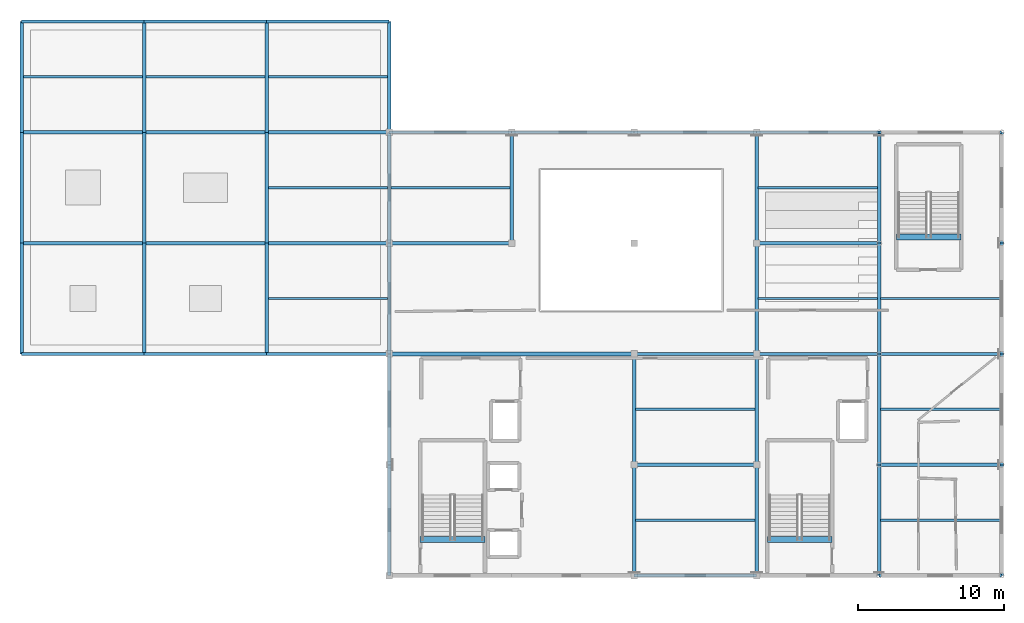
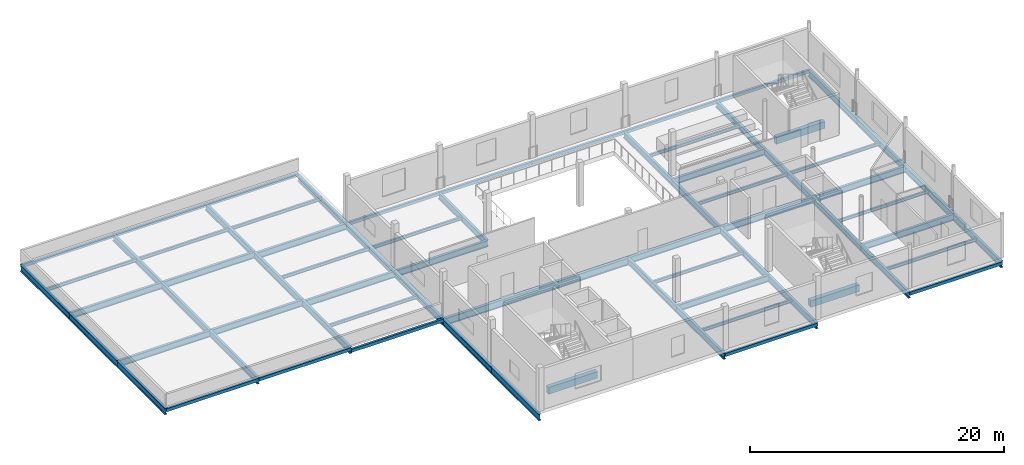
# One storey, part 4 of 13: 72 beams.
"""IFC4 building model written with IfcOpenShell, lengths in metres."""

from ifc_helpers import new_model, si_unit, direction, frame, origin, origin_2d, place, context, subcontext, project, spatial, rectangle, hollow_rectangle, i_section, extrude, material, material_profile, profile_set, type_object, element, save


model = new_model("IFC4")

# Units and contexts
model_context = context("Model", 3, precision=1e-05, world=origin(), true_north=direction((0.0, 1.0)))
body_context = subcontext(model_context, "Body", "Model", "MODEL_VIEW")
ifc_project = project(units=[si_unit("LENGTHUNIT", "METRE"), si_unit("AREAUNIT", "SQUARE_METRE"), si_unit("VOLUMEUNIT", "CUBIC_METRE"), si_unit("PLANEANGLEUNIT", "RADIAN"), si_unit("MASSUNIT", "GRAM", prefix="KILO")], contexts=[model_context])

# Site, building, storey
site_placement = place(None, origin())
site = spatial("IfcSite", under=ifc_project, at=site_placement, CompositionType="ELEMENT")
building_placement = place(site_placement, origin())
building = spatial("IfcBuilding", under=site, at=building_placement, Name="Zuvorla Pavilion Media Centre", CompositionType="ELEMENT")
storey_placement = place(building_placement, frame((0.0, 0.0, 22.199951171875)))
storey = spatial("IfcBuildingStorey", under=building, at=storey_placement, Name="L05", CompositionType="ELEMENT", Elevation=22.199951171875)

# Beams
ifc_material_1 = material(Name="Concrete C40/50", Category="concrete")
ifc_material_profile_1 = material_profile(ifc_material_1, rectangle(XDim=0.39990234375, YDim=0.64990234375, at=origin_2d()), Name="RC 400x650")
ifc_profile_set_1 = profile_set([ifc_material_profile_1], Name="Concrete C40/50")
beam_type_1 = type_object("IfcBeamType", Name="BM-RC-650", PredefinedType="BEAM", material=ifc_profile_set_1)
beam_1_placement = place(storey_placement, frame((68.929931640625, 8.469970703125, -0.323974609375), z_axis=(1.0, 0.0, 0.0), x_axis=(0.0, 1.0, 0.0)))
element("IfcBeam", 1, at=beam_1_placement, inside=storey, type_object=beam_type_1, Name="L05 ST-01 landing trimmer beam", PredefinedType="BEAM", context=body_context, shape_type="SweptSolid", body=[
    extrude(rectangle(XDim=0.39990234375, YDim=0.64990234375, at=origin_2d()), origin(), (0.0, 0.0, 1.0), 4.440185546875),
])
for number, where, z_axis, x_axis, name in (
    (2, (92.72998046875, 8.469970703125, -0.323974609375), (1.0, 0.0, 0.0), (0.0, 1.0, 0.0), "L05 ST-02 landing trimmer beam"),
    (3, (101.580078125, 29.219970703125, -0.323974609375), (1.0, 0.0, 0.0), (0.0, 1.0, 0.0), "L05 ST-04 landing trimmer beam"),
):
    element("IfcBeam", number, at=place(storey_placement, frame(where, z_axis=z_axis, x_axis=x_axis)), inside=storey, type_object=beam_type_1, Name=name, PredefinedType="BEAM", context=body_context, shape_type="SweptSolid", body=[
        extrude(rectangle(XDim=0.39990234375, YDim=0.64990234375, at=origin_2d()), origin(), (0.0, 0.0, 1.0), 4.43994140625),
    ])
ifc_material_2 = material(Name="Steel S355", Category="steel")
ifc_material_profile_2 = material_profile(ifc_material_2, hollow_rectangle(XDim=0.199951171875, YDim=0.300048828125, WallThickness=0.012451171875, at=origin_2d()), Name="RHS 300x200x12.5")
ifc_profile_set_2 = profile_set([ifc_material_profile_2], Name="Steel S355")
beam_type_2 = type_object("IfcBeamType", Name="BM-SP-RHS300", PredefinedType="SPANDREL", material=ifc_profile_set_2)
beam_2_placement = place(storey_placement, frame((83.60009765625, 6.0, -0.577880859375), z_axis=(1.0, 0.0, 0.0), x_axis=(0.0, 1.0, 0.0)))
element("IfcBeam", 4, at=beam_2_placement, inside=storey, type_object=beam_type_2, Name="L05 spandrel SP01 1539", PredefinedType="SPANDREL", context=body_context, shape_type="SweptSolid", body=[
    extrude(hollow_rectangle(XDim=0.199951171875, YDim=0.300048828125, WallThickness=0.012451171875, at=origin_2d()), origin(), (0.0, 0.0, 1.0), 8.39990234375),
])
beam_3_placement = place(storey_placement, frame((100.39990234375, 6.0, -0.577880859375), z_axis=(1.0, 0.0, 0.0), x_axis=(0.0, 1.0, 0.0)))
element("IfcBeam", 5, at=beam_3_placement, inside=storey, type_object=beam_type_2, Name="L05 spandrel SP01 1540", PredefinedType="SPANDREL", context=body_context, shape_type="SweptSolid", body=[
    extrude(hollow_rectangle(XDim=0.199951171875, YDim=0.300048828125, WallThickness=0.012451171875, at=origin_2d()), origin(), (0.0, 0.0, 1.0), 8.400146484375),
])
for number, where, z_axis, x_axis, name in (
    (6, (41.60009765625, 21.199951171875, -0.39794921875), (1.0, 0.0, 0.0), (0.0, 1.0, 0.0), "L05 spandrel SP01 1543"),
    (7, (50.0, 21.199951171875, -0.39794921875), (1.0, 0.0, 0.0), (0.0, 1.0, 0.0), "L05 spandrel SP01 1544"),
):
    element("IfcBeam", number, at=place(storey_placement, frame(where, z_axis=z_axis, x_axis=x_axis)), inside=storey, type_object=beam_type_2, Name=name, PredefinedType="SPANDREL", context=body_context, shape_type="SweptSolid", body=[
        extrude(hollow_rectangle(XDim=0.199951171875, YDim=0.300048828125, WallThickness=0.012451171875, at=origin_2d()), origin(), (0.0, 0.0, 1.0), 8.39990234375),
    ])
beam_4_placement = place(storey_placement, frame((58.39990234375, 21.199951171875, -0.577880859375), z_axis=(1.0, 0.0, 0.0), x_axis=(0.0, 1.0, 0.0)))
element("IfcBeam", 8, at=beam_4_placement, inside=storey, type_object=beam_type_2, Name="L05 spandrel SP01 1545", PredefinedType="SPANDREL", context=body_context, shape_type="SweptSolid", body=[
    extrude(hollow_rectangle(XDim=0.199951171875, YDim=0.300048828125, WallThickness=0.012451171875, at=origin_2d()), origin(), (0.0, 0.0, 1.0), 8.400146484375),
])
beam_5_placement = place(storey_placement, frame((66.800048828125, 36.39990234375, -0.577880859375), z_axis=(1.0, 0.0, 0.0), x_axis=(0.0, 1.0, 0.0)))
element("IfcBeam", 9, at=beam_5_placement, inside=storey, type_object=beam_type_2, Name="L05 spandrel SP01 1558", PredefinedType="SPANDREL", context=body_context, shape_type="SweptSolid", body=[
    extrude(hollow_rectangle(XDim=0.199951171875, YDim=0.300048828125, WallThickness=0.012451171875, at=origin_2d()), origin(), (0.0, 0.0, 1.0), 8.39990234375),
])
beam_6_placement = place(storey_placement, frame((75.199951171875, 36.39990234375, -0.577880859375), z_axis=(1.0, 0.0, 0.0), x_axis=(0.0, 1.0, 0.0)))
element("IfcBeam", 10, at=beam_6_placement, inside=storey, type_object=beam_type_2, Name="L05 spandrel SP01 1559", PredefinedType="SPANDREL", context=body_context, shape_type="SweptSolid", body=[
    extrude(hollow_rectangle(XDim=0.199951171875, YDim=0.300048828125, WallThickness=0.012451171875, at=origin_2d()), origin(), (0.0, 0.0, 1.0), 8.400146484375),
])
for number, where, z_axis, x_axis, name in (
    (11, (83.60009765625, 36.39990234375, -0.577880859375), (1.0, 0.0, 0.0), (0.0, 1.0, 0.0), "L05 spandrel SP01 1560"),
    (12, (92.0, 36.39990234375, -0.577880859375), (1.0, 0.0, 0.0), (0.0, 1.0, 0.0), "L05 spandrel SP01 1561"),
):
    element("IfcBeam", number, at=place(storey_placement, frame(where, z_axis=z_axis, x_axis=x_axis)), inside=storey, type_object=beam_type_2, Name=name, PredefinedType="SPANDREL", context=body_context, shape_type="SweptSolid", body=[
        extrude(hollow_rectangle(XDim=0.199951171875, YDim=0.300048828125, WallThickness=0.012451171875, at=origin_2d()), origin(), (0.0, 0.0, 1.0), 8.39990234375),
    ])
beam_7_placement = place(storey_placement, frame((100.39990234375, 36.39990234375, -0.577880859375), z_axis=(1.0, 0.0, 0.0), x_axis=(0.0, 1.0, 0.0)))
element("IfcBeam", 13, at=beam_7_placement, inside=storey, type_object=beam_type_2, Name="L05 spandrel SP01 1562", PredefinedType="SPANDREL", context=body_context, shape_type="SweptSolid", body=[
    extrude(hollow_rectangle(XDim=0.199951171875, YDim=0.300048828125, WallThickness=0.012451171875, at=origin_2d()), origin(), (0.0, 0.0, 1.0), 8.400146484375),
])
for number, where, z_axis, x_axis, name in (
    (14, (41.60009765625, 44.0, -0.39794921875), (1.0, 0.0, 0.0), (0.0, 1.0, 0.0), "L05 spandrel SP01 1563"),
    (15, (50.0, 44.0, -0.39794921875), (1.0, 0.0, 0.0), (0.0, 1.0, 0.0), "L05 spandrel SP01 1564"),
):
    element("IfcBeam", number, at=place(storey_placement, frame(where, z_axis=z_axis, x_axis=x_axis)), inside=storey, type_object=beam_type_2, Name=name, PredefinedType="SPANDREL", context=body_context, shape_type="SweptSolid", body=[
        extrude(hollow_rectangle(XDim=0.199951171875, YDim=0.300048828125, WallThickness=0.012451171875, at=origin_2d()), origin(), (0.0, 0.0, 1.0), 8.39990234375),
    ])
beam_8_placement = place(storey_placement, frame((58.39990234375, 44.0, -0.39794921875), z_axis=(1.0, 0.0, 0.0), x_axis=(0.0, 1.0, 0.0)))
element("IfcBeam", 16, at=beam_8_placement, inside=storey, type_object=beam_type_2, Name="L05 spandrel SP01 1565", PredefinedType="SPANDREL", context=body_context, shape_type="SweptSolid", body=[
    extrude(hollow_rectangle(XDim=0.199951171875, YDim=0.300048828125, WallThickness=0.012451171875, at=origin_2d()), origin(), (0.0, 0.0, 1.0), 8.400146484375),
])
ifc_material_profile_3 = material_profile(ifc_material_2, i_section(OverallWidth=0.165771484375, OverallDepth=0.306640625, WebThickness=0.006591796875, FlangeThickness=0.01171875, FilletRadius=0.0087890625, at=origin_2d()), Name="UB 305x165x46")
ifc_profile_set_3 = profile_set([ifc_material_profile_3], Name="Steel S355")
beam_type_3 = type_object("IfcBeamType", Name="BM-UB305", PredefinedType="JOIST", material=ifc_profile_set_3)
for number, where, z_axis, x_axis, name in (
    (17, (41.70947265625, 40.199951171875, -0.4013671875), (1.0, 0.0, 0.0), (0.0, 1.0, 0.0), "L05 joist J04 1595"),
    (18, (50.109619140625, 40.199951171875, -0.4013671875), (1.0, 0.0, 0.0), (0.0, 1.0, 0.0), "L05 joist J04 1596"),
    (19, (58.509521484375, 25.0, -0.581298828125), (1.0, 0.0, 0.0), (0.0, 1.0, 0.0), "L05 joist J04 1597"),
    (20, (58.509521484375, 32.60009765625, -0.581298828125), (1.0, 0.0, 0.0), (0.0, 1.0, 0.0), "L05 joist J04 1598"),
    (21, (58.509521484375, 40.199951171875, -0.4013671875), (1.0, 0.0, 0.0), (0.0, 1.0, 0.0), "L05 joist J04 1599"),
):
    element("IfcBeam", number, at=place(storey_placement, frame(where, z_axis=z_axis, x_axis=x_axis)), inside=storey, type_object=beam_type_3, Name=name, PredefinedType="JOIST", context=body_context, shape_type="SweptSolid", body=[
        extrude(i_section(OverallWidth=0.165771484375, OverallDepth=0.306640625, WebThickness=0.006591796875, FlangeThickness=0.01171875, FilletRadius=0.0087890625, at=origin_2d()), origin(), (0.0, 0.0, 1.0), 8.180908203125),
    ])
beam_9_placement = place(storey_placement, frame((66.909423828125, 32.60009765625, -0.581298828125), z_axis=(1.0, 0.0, 0.0), x_axis=(0.0, 1.0, 0.0)))
element("IfcBeam", 22, at=beam_9_placement, inside=storey, type_object=beam_type_3, Name="L05 joist J04 1600", PredefinedType="JOIST", context=body_context, shape_type="SweptSolid", body=[
    extrude(i_section(OverallWidth=0.165771484375, OverallDepth=0.306640625, WebThickness=0.006591796875, FlangeThickness=0.01171875, FilletRadius=0.0087890625, at=origin_2d()), origin(), (0.0, 0.0, 1.0), 8.18115234375),
])
for number, where, z_axis, x_axis, name in (
    (23, (83.70947265625, 9.800048828125, -0.581298828125), (1.0, 0.0, 0.0), (0.0, 1.0, 0.0), "L05 joist J04 1601"),
    (24, (83.70947265625, 17.39990234375, -0.581298828125), (1.0, 0.0, 0.0), (0.0, 1.0, 0.0), "L05 joist J04 1602"),
    (25, (92.109619140625, 25.0, -0.581298828125), (1.0, 0.0, 0.0), (0.0, 1.0, 0.0), "L05 joist J04 1603"),
    (26, (92.109619140625, 32.60009765625, -0.581298828125), (1.0, 0.0, 0.0), (0.0, 1.0, 0.0), "L05 joist J04 1604"),
    (27, (100.509521484375, 9.800048828125, -0.581298828125), (1.0, 0.0, 0.0), (0.0, 1.0, 0.0), "L05 joist J04 1605"),
    (28, (100.509521484375, 17.39990234375, -0.581298828125), (1.0, 0.0, 0.0), (0.0, 1.0, 0.0), "L05 joist J04 1606"),
    (29, (100.509521484375, 25.0, -0.581298828125), (1.0, 0.0, 0.0), (0.0, 1.0, 0.0), "L05 joist J04 1607"),
):
    element("IfcBeam", number, at=place(storey_placement, frame(where, z_axis=z_axis, x_axis=x_axis)), inside=storey, type_object=beam_type_3, Name=name, PredefinedType="JOIST", context=body_context, shape_type="SweptSolid", body=[
        extrude(i_section(OverallWidth=0.165771484375, OverallDepth=0.306640625, WebThickness=0.006591796875, FlangeThickness=0.01171875, FilletRadius=0.0087890625, at=origin_2d()), origin(), (0.0, 0.0, 1.0), 8.180908203125),
    ])
ifc_material_profile_4 = material_profile(ifc_material_2, i_section(OverallWidth=0.22900390625, OverallDepth=0.6123046875, WebThickness=0.011962890625, FlangeThickness=0.01953125, FilletRadius=0.0126953125, at=origin_2d()), Name="UB 610x229x125")
ifc_profile_set_4 = profile_set([ifc_material_profile_4], Name="Steel S355")
beam_type_4 = type_object("IfcBeamType", Name="BM-UB610", PredefinedType="BEAM", material=ifc_profile_set_4)
beam_10_placement = place(storey_placement, frame((83.60009765625, 13.60009765625, -0.734130859375), z_axis=(1.0, 0.0, 0.0), x_axis=(0.0, 1.0, 0.0)))
element("IfcBeam", 30, at=beam_10_placement, inside=storey, type_object=beam_type_4, Name="L05 beam B07 1541", PredefinedType="BEAM", context=body_context, shape_type="SweptSolid", body=[
    extrude(i_section(OverallWidth=0.22900390625, OverallDepth=0.6123046875, WebThickness=0.011962890625, FlangeThickness=0.01953125, FilletRadius=0.0126953125, at=origin_2d()), origin(), (0.0, 0.0, 1.0), 8.39990234375),
])
beam_11_placement = place(storey_placement, frame((100.39990234375, 13.60009765625, -0.734130859375), z_axis=(1.0, 0.0, 0.0), x_axis=(0.0, 1.0, 0.0)))
element("IfcBeam", 31, at=beam_11_placement, inside=storey, type_object=beam_type_4, Name="L05 beam B07 1542", PredefinedType="BEAM", context=body_context, shape_type="SweptSolid", body=[
    extrude(i_section(OverallWidth=0.22900390625, OverallDepth=0.6123046875, WebThickness=0.011962890625, FlangeThickness=0.01953125, FilletRadius=0.0126953125, at=origin_2d()), origin(), (0.0, 0.0, 1.0), 8.400146484375),
])
for number, where, z_axis, x_axis, name in (
    (32, (83.60009765625, 21.199951171875, -0.734130859375), (1.0, 0.0, 0.0), (0.0, 1.0, 0.0), "L05 beam B07 1547"),
    (33, (92.0, 21.199951171875, -0.734130859375), (1.0, 0.0, 0.0), (0.0, 1.0, 0.0), "L05 beam B07 1548"),
):
    element("IfcBeam", number, at=place(storey_placement, frame(where, z_axis=z_axis, x_axis=x_axis)), inside=storey, type_object=beam_type_4, Name=name, PredefinedType="BEAM", context=body_context, shape_type="SweptSolid", body=[
        extrude(i_section(OverallWidth=0.22900390625, OverallDepth=0.6123046875, WebThickness=0.011962890625, FlangeThickness=0.01953125, FilletRadius=0.0126953125, at=origin_2d()), origin(), (0.0, 0.0, 1.0), 8.39990234375),
    ])
beam_12_placement = place(storey_placement, frame((100.39990234375, 21.199951171875, -0.734130859375), z_axis=(1.0, 0.0, 0.0), x_axis=(0.0, 1.0, 0.0)))
element("IfcBeam", 34, at=beam_12_placement, inside=storey, type_object=beam_type_4, Name="L05 beam B07 1549", PredefinedType="BEAM", context=body_context, shape_type="SweptSolid", body=[
    extrude(i_section(OverallWidth=0.22900390625, OverallDepth=0.6123046875, WebThickness=0.011962890625, FlangeThickness=0.01953125, FilletRadius=0.0126953125, at=origin_2d()), origin(), (0.0, 0.0, 1.0), 8.400146484375),
])
for number, where, z_axis, x_axis, name in (
    (35, (41.60009765625, 28.800048828125, -0.553955078125), (1.0, 0.0, 0.0), (0.0, 1.0, 0.0), "L05 beam B07 1550"),
    (36, (50.0, 28.800048828125, -0.553955078125), (1.0, 0.0, 0.0), (0.0, 1.0, 0.0), "L05 beam B07 1551"),
):
    element("IfcBeam", number, at=place(storey_placement, frame(where, z_axis=z_axis, x_axis=x_axis)), inside=storey, type_object=beam_type_4, Name=name, PredefinedType="BEAM", context=body_context, shape_type="SweptSolid", body=[
        extrude(i_section(OverallWidth=0.22900390625, OverallDepth=0.6123046875, WebThickness=0.011962890625, FlangeThickness=0.01953125, FilletRadius=0.0126953125, at=origin_2d()), origin(), (0.0, 0.0, 1.0), 8.39990234375),
    ])
beam_13_placement = place(storey_placement, frame((58.39990234375, 28.800048828125, -0.734130859375), z_axis=(1.0, 0.0, 0.0), x_axis=(0.0, 1.0, 0.0)))
element("IfcBeam", 37, at=beam_13_placement, inside=storey, type_object=beam_type_4, Name="L05 beam B07 1552", PredefinedType="BEAM", context=body_context, shape_type="SweptSolid", body=[
    extrude(i_section(OverallWidth=0.22900390625, OverallDepth=0.6123046875, WebThickness=0.011962890625, FlangeThickness=0.01953125, FilletRadius=0.0126953125, at=origin_2d()), origin(), (0.0, 0.0, 1.0), 8.400146484375),
])
for number, where, z_axis, x_axis, name in (
    (38, (66.800048828125, 28.800048828125, -0.734130859375), (1.0, 0.0, 0.0), (0.0, 1.0, 0.0), "L05 beam B07 1553"),
    (39, (92.0, 28.800048828125, -0.734130859375), (1.0, 0.0, 0.0), (0.0, 1.0, 0.0), "L05 beam B07 1554"),
    (40, (41.60009765625, 36.39990234375, -0.553955078125), (1.0, 0.0, 0.0), (0.0, 1.0, 0.0), "L05 beam B07 1555"),
    (41, (50.0, 36.39990234375, -0.553955078125), (1.0, 0.0, 0.0), (0.0, 1.0, 0.0), "L05 beam B07 1556"),
):
    element("IfcBeam", number, at=place(storey_placement, frame(where, z_axis=z_axis, x_axis=x_axis)), inside=storey, type_object=beam_type_4, Name=name, PredefinedType="BEAM", context=body_context, shape_type="SweptSolid", body=[
        extrude(i_section(OverallWidth=0.22900390625, OverallDepth=0.6123046875, WebThickness=0.011962890625, FlangeThickness=0.01953125, FilletRadius=0.0126953125, at=origin_2d()), origin(), (0.0, 0.0, 1.0), 8.39990234375),
    ])
beam_14_placement = place(storey_placement, frame((58.39990234375, 36.39990234375, -0.734130859375), z_axis=(1.0, 0.0, 0.0), x_axis=(0.0, 1.0, 0.0)))
element("IfcBeam", 42, at=beam_14_placement, inside=storey, type_object=beam_type_4, Name="L05 beam B07 1557", PredefinedType="BEAM", context=body_context, shape_type="SweptSolid", body=[
    extrude(i_section(OverallWidth=0.22900390625, OverallDepth=0.6123046875, WebThickness=0.011962890625, FlangeThickness=0.01953125, FilletRadius=0.0126953125, at=origin_2d()), origin(), (0.0, 0.0, 1.0), 8.400146484375),
])
beam_15_placement = place(storey_placement, frame((41.60009765625, 21.199951171875, -0.553955078125), z_axis=(0.0, 1.0, 0.0), x_axis=(-1.0, 0.0, 0.0)))
element("IfcBeam", 43, at=beam_15_placement, inside=storey, type_object=beam_type_4, Name="L05 beam B07 1566", PredefinedType="BEAM", context=body_context, shape_type="SweptSolid", body=[
    extrude(i_section(OverallWidth=0.22900390625, OverallDepth=0.6123046875, WebThickness=0.011962890625, FlangeThickness=0.01953125, FilletRadius=0.0126953125, at=origin_2d()), origin(), (0.0, 0.0, 1.0), 7.60009765625),
])
beam_16_placement = place(storey_placement, frame((41.60009765625, 28.800048828125, -0.553955078125), z_axis=(0.0, 1.0, 0.0), x_axis=(-1.0, 0.0, 0.0)))
element("IfcBeam", 44, at=beam_16_placement, inside=storey, type_object=beam_type_4, Name="L05 beam B07 1567", PredefinedType="BEAM", context=body_context, shape_type="SweptSolid", body=[
    extrude(i_section(OverallWidth=0.22900390625, OverallDepth=0.6123046875, WebThickness=0.011962890625, FlangeThickness=0.01953125, FilletRadius=0.0126953125, at=origin_2d()), origin(), (0.0, 0.0, 1.0), 7.599853515625),
])
for number, where, z_axis, x_axis, name in (
    (45, (41.60009765625, 36.39990234375, -0.553955078125), (0.0, 1.0, 0.0), (-1.0, 0.0, 0.0), "L05 beam B07 1568"),
    (46, (50.0, 21.199951171875, -0.553955078125), (0.0, 1.0, 0.0), (-1.0, 0.0, 0.0), "L05 beam B07 1569"),
):
    element("IfcBeam", number, at=place(storey_placement, frame(where, z_axis=z_axis, x_axis=x_axis)), inside=storey, type_object=beam_type_4, Name=name, PredefinedType="BEAM", context=body_context, shape_type="SweptSolid", body=[
        extrude(i_section(OverallWidth=0.22900390625, OverallDepth=0.6123046875, WebThickness=0.011962890625, FlangeThickness=0.01953125, FilletRadius=0.0126953125, at=origin_2d()), origin(), (0.0, 0.0, 1.0), 7.60009765625),
    ])
beam_17_placement = place(storey_placement, frame((50.0, 28.800048828125, -0.553955078125), z_axis=(0.0, 1.0, 0.0), x_axis=(-1.0, 0.0, 0.0)))
element("IfcBeam", 47, at=beam_17_placement, inside=storey, type_object=beam_type_4, Name="L05 beam B07 1570", PredefinedType="BEAM", context=body_context, shape_type="SweptSolid", body=[
    extrude(i_section(OverallWidth=0.22900390625, OverallDepth=0.6123046875, WebThickness=0.011962890625, FlangeThickness=0.01953125, FilletRadius=0.0126953125, at=origin_2d()), origin(), (0.0, 0.0, 1.0), 7.599853515625),
])
for number, where, z_axis, x_axis, name in (
    (48, (50.0, 36.39990234375, -0.553955078125), (0.0, 1.0, 0.0), (-1.0, 0.0, 0.0), "L05 beam B07 1571"),
    (49, (58.39990234375, 21.199951171875, -0.553955078125), (0.0, 1.0, 0.0), (-1.0, 0.0, 0.0), "L05 beam B07 1572"),
):
    element("IfcBeam", number, at=place(storey_placement, frame(where, z_axis=z_axis, x_axis=x_axis)), inside=storey, type_object=beam_type_4, Name=name, PredefinedType="BEAM", context=body_context, shape_type="SweptSolid", body=[
        extrude(i_section(OverallWidth=0.22900390625, OverallDepth=0.6123046875, WebThickness=0.011962890625, FlangeThickness=0.01953125, FilletRadius=0.0126953125, at=origin_2d()), origin(), (0.0, 0.0, 1.0), 7.60009765625),
    ])
beam_18_placement = place(storey_placement, frame((58.39990234375, 28.800048828125, -0.553955078125), z_axis=(0.0, 1.0, 0.0), x_axis=(-1.0, 0.0, 0.0)))
element("IfcBeam", 50, at=beam_18_placement, inside=storey, type_object=beam_type_4, Name="L05 beam B07 1573", PredefinedType="BEAM", context=body_context, shape_type="SweptSolid", body=[
    extrude(i_section(OverallWidth=0.22900390625, OverallDepth=0.6123046875, WebThickness=0.011962890625, FlangeThickness=0.01953125, FilletRadius=0.0126953125, at=origin_2d()), origin(), (0.0, 0.0, 1.0), 7.599853515625),
])
for number, where, z_axis, x_axis, name in (
    (51, (58.39990234375, 36.39990234375, -0.553955078125), (0.0, 1.0, 0.0), (-1.0, 0.0, 0.0), "L05 beam B07 1574"),
    (52, (66.800048828125, 6.0, -0.734130859375), (0.0, 1.0, 0.0), (-1.0, 0.0, 0.0), "L05 beam B07 1575"),
):
    element("IfcBeam", number, at=place(storey_placement, frame(where, z_axis=z_axis, x_axis=x_axis)), inside=storey, type_object=beam_type_4, Name=name, PredefinedType="BEAM", context=body_context, shape_type="SweptSolid", body=[
        extrude(i_section(OverallWidth=0.22900390625, OverallDepth=0.6123046875, WebThickness=0.011962890625, FlangeThickness=0.01953125, FilletRadius=0.0126953125, at=origin_2d()), origin(), (0.0, 0.0, 1.0), 7.60009765625),
    ])
beam_19_placement = place(storey_placement, frame((66.800048828125, 13.60009765625, -0.734130859375), z_axis=(0.0, 1.0, 0.0), x_axis=(-1.0, 0.0, 0.0)))
element("IfcBeam", 53, at=beam_19_placement, inside=storey, type_object=beam_type_4, Name="L05 beam B07 1576", PredefinedType="BEAM", context=body_context, shape_type="SweptSolid", body=[
    extrude(i_section(OverallWidth=0.22900390625, OverallDepth=0.6123046875, WebThickness=0.011962890625, FlangeThickness=0.01953125, FilletRadius=0.0126953125, at=origin_2d()), origin(), (0.0, 0.0, 1.0), 7.599853515625),
])
beam_20_placement = place(storey_placement, frame((66.800048828125, 21.199951171875, -0.734130859375), z_axis=(0.0, 1.0, 0.0), x_axis=(-1.0, 0.0, 0.0)))
element("IfcBeam", 54, at=beam_20_placement, inside=storey, type_object=beam_type_4, Name="L05 beam B07 1577", PredefinedType="BEAM", context=body_context, shape_type="SweptSolid", body=[
    extrude(i_section(OverallWidth=0.22900390625, OverallDepth=0.6123046875, WebThickness=0.011962890625, FlangeThickness=0.01953125, FilletRadius=0.0126953125, at=origin_2d()), origin(), (0.0, 0.0, 1.0), 7.60009765625),
])
beam_21_placement = place(storey_placement, frame((66.800048828125, 28.800048828125, -0.734130859375), z_axis=(0.0, 1.0, 0.0), x_axis=(-1.0, 0.0, 0.0)))
element("IfcBeam", 55, at=beam_21_placement, inside=storey, type_object=beam_type_4, Name="L05 beam B07 1578", PredefinedType="BEAM", context=body_context, shape_type="SweptSolid", body=[
    extrude(i_section(OverallWidth=0.22900390625, OverallDepth=0.6123046875, WebThickness=0.011962890625, FlangeThickness=0.01953125, FilletRadius=0.0126953125, at=origin_2d()), origin(), (0.0, 0.0, 1.0), 7.599853515625),
])
beam_22_placement = place(storey_placement, frame((66.800048828125, 36.39990234375, -0.734130859375), z_axis=(0.0, 1.0, 0.0), x_axis=(-1.0, 0.0, 0.0)))
element("IfcBeam", 56, at=beam_22_placement, inside=storey, type_object=beam_type_4, Name="L05 beam B07 1579", PredefinedType="BEAM", context=body_context, shape_type="SweptSolid", body=[
    extrude(i_section(OverallWidth=0.22900390625, OverallDepth=0.6123046875, WebThickness=0.011962890625, FlangeThickness=0.01953125, FilletRadius=0.0126953125, at=origin_2d()), origin(), (0.0, 0.0, 1.0), 7.60009765625),
])
beam_23_placement = place(storey_placement, frame((75.199951171875, 28.800048828125, -0.734130859375), z_axis=(0.0, 1.0, 0.0), x_axis=(-1.0, 0.0, 0.0)))
element("IfcBeam", 57, at=beam_23_placement, inside=storey, type_object=beam_type_4, Name="L05 beam B07 1580", PredefinedType="BEAM", context=body_context, shape_type="SweptSolid", body=[
    extrude(i_section(OverallWidth=0.22900390625, OverallDepth=0.6123046875, WebThickness=0.011962890625, FlangeThickness=0.01953125, FilletRadius=0.0126953125, at=origin_2d()), origin(), (0.0, 0.0, 1.0), 7.599853515625),
])
beam_24_placement = place(storey_placement, frame((83.60009765625, 6.0, -0.734130859375), z_axis=(0.0, 1.0, 0.0), x_axis=(-1.0, 0.0, 0.0)))
element("IfcBeam", 58, at=beam_24_placement, inside=storey, type_object=beam_type_4, Name="L05 beam B07 1581", PredefinedType="BEAM", context=body_context, shape_type="SweptSolid", body=[
    extrude(i_section(OverallWidth=0.22900390625, OverallDepth=0.6123046875, WebThickness=0.011962890625, FlangeThickness=0.01953125, FilletRadius=0.0126953125, at=origin_2d()), origin(), (0.0, 0.0, 1.0), 7.60009765625),
])
beam_25_placement = place(storey_placement, frame((83.60009765625, 13.60009765625, -0.734130859375), z_axis=(0.0, 1.0, 0.0), x_axis=(-1.0, 0.0, 0.0)))
element("IfcBeam", 59, at=beam_25_placement, inside=storey, type_object=beam_type_4, Name="L05 beam B07 1582", PredefinedType="BEAM", context=body_context, shape_type="SweptSolid", body=[
    extrude(i_section(OverallWidth=0.22900390625, OverallDepth=0.6123046875, WebThickness=0.011962890625, FlangeThickness=0.01953125, FilletRadius=0.0126953125, at=origin_2d()), origin(), (0.0, 0.0, 1.0), 7.599853515625),
])
beam_26_placement = place(storey_placement, frame((92.0, 6.0, -0.734130859375), z_axis=(0.0, 1.0, 0.0), x_axis=(-1.0, 0.0, 0.0)))
element("IfcBeam", 60, at=beam_26_placement, inside=storey, type_object=beam_type_4, Name="L05 beam B07 1583", PredefinedType="BEAM", context=body_context, shape_type="SweptSolid", body=[
    extrude(i_section(OverallWidth=0.22900390625, OverallDepth=0.6123046875, WebThickness=0.011962890625, FlangeThickness=0.01953125, FilletRadius=0.0126953125, at=origin_2d()), origin(), (0.0, 0.0, 1.0), 7.60009765625),
])
beam_27_placement = place(storey_placement, frame((92.0, 13.60009765625, -0.734130859375), z_axis=(0.0, 1.0, 0.0), x_axis=(-1.0, 0.0, 0.0)))
element("IfcBeam", 61, at=beam_27_placement, inside=storey, type_object=beam_type_4, Name="L05 beam B07 1584", PredefinedType="BEAM", context=body_context, shape_type="SweptSolid", body=[
    extrude(i_section(OverallWidth=0.22900390625, OverallDepth=0.6123046875, WebThickness=0.011962890625, FlangeThickness=0.01953125, FilletRadius=0.0126953125, at=origin_2d()), origin(), (0.0, 0.0, 1.0), 7.599853515625),
])
beam_28_placement = place(storey_placement, frame((92.0, 21.199951171875, -0.734130859375), z_axis=(0.0, 1.0, 0.0), x_axis=(-1.0, 0.0, 0.0)))
element("IfcBeam", 62, at=beam_28_placement, inside=storey, type_object=beam_type_4, Name="L05 beam B07 1585", PredefinedType="BEAM", context=body_context, shape_type="SweptSolid", body=[
    extrude(i_section(OverallWidth=0.22900390625, OverallDepth=0.6123046875, WebThickness=0.011962890625, FlangeThickness=0.01953125, FilletRadius=0.0126953125, at=origin_2d()), origin(), (0.0, 0.0, 1.0), 7.60009765625),
])
beam_29_placement = place(storey_placement, frame((92.0, 28.800048828125, -0.734130859375), z_axis=(0.0, 1.0, 0.0), x_axis=(-1.0, 0.0, 0.0)))
element("IfcBeam", 63, at=beam_29_placement, inside=storey, type_object=beam_type_4, Name="L05 beam B07 1586", PredefinedType="BEAM", context=body_context, shape_type="SweptSolid", body=[
    extrude(i_section(OverallWidth=0.22900390625, OverallDepth=0.6123046875, WebThickness=0.011962890625, FlangeThickness=0.01953125, FilletRadius=0.0126953125, at=origin_2d()), origin(), (0.0, 0.0, 1.0), 7.599853515625),
])
beam_30_placement = place(storey_placement, frame((100.39990234375, 6.0, -0.734130859375), z_axis=(0.0, 1.0, 0.0), x_axis=(-1.0, 0.0, 0.0)))
element("IfcBeam", 64, at=beam_30_placement, inside=storey, type_object=beam_type_4, Name="L05 beam B07 1587", PredefinedType="BEAM", context=body_context, shape_type="SweptSolid", body=[
    extrude(i_section(OverallWidth=0.22900390625, OverallDepth=0.6123046875, WebThickness=0.011962890625, FlangeThickness=0.01953125, FilletRadius=0.0126953125, at=origin_2d()), origin(), (0.0, 0.0, 1.0), 7.60009765625),
])
beam_31_placement = place(storey_placement, frame((100.39990234375, 13.60009765625, -0.734130859375), z_axis=(0.0, 1.0, 0.0), x_axis=(-1.0, 0.0, 0.0)))
element("IfcBeam", 65, at=beam_31_placement, inside=storey, type_object=beam_type_4, Name="L05 beam B07 1588", PredefinedType="BEAM", context=body_context, shape_type="SweptSolid", body=[
    extrude(i_section(OverallWidth=0.22900390625, OverallDepth=0.6123046875, WebThickness=0.011962890625, FlangeThickness=0.01953125, FilletRadius=0.0126953125, at=origin_2d()), origin(), (0.0, 0.0, 1.0), 7.599853515625),
])
beam_32_placement = place(storey_placement, frame((100.39990234375, 21.199951171875, -0.734130859375), z_axis=(0.0, 1.0, 0.0), x_axis=(-1.0, 0.0, 0.0)))
element("IfcBeam", 66, at=beam_32_placement, inside=storey, type_object=beam_type_4, Name="L05 beam B07 1589", PredefinedType="BEAM", context=body_context, shape_type="SweptSolid", body=[
    extrude(i_section(OverallWidth=0.22900390625, OverallDepth=0.6123046875, WebThickness=0.011962890625, FlangeThickness=0.01953125, FilletRadius=0.0126953125, at=origin_2d()), origin(), (0.0, 0.0, 1.0), 7.60009765625),
])
beam_33_placement = place(storey_placement, frame((100.39990234375, 28.800048828125, -0.734130859375), z_axis=(0.0, 1.0, 0.0), x_axis=(-1.0, 0.0, 0.0)))
element("IfcBeam", 67, at=beam_33_placement, inside=storey, type_object=beam_type_4, Name="L05 beam B07 1590", PredefinedType="BEAM", context=body_context, shape_type="SweptSolid", body=[
    extrude(i_section(OverallWidth=0.22900390625, OverallDepth=0.6123046875, WebThickness=0.011962890625, FlangeThickness=0.01953125, FilletRadius=0.0126953125, at=origin_2d()), origin(), (0.0, 0.0, 1.0), 7.599853515625),
])
beam_34_placement = place(storey_placement, frame((108.800048828125, 6.0, -0.734130859375), z_axis=(0.0, 1.0, 0.0), x_axis=(-1.0, 0.0, 0.0)))
element("IfcBeam", 68, at=beam_34_placement, inside=storey, type_object=beam_type_4, Name="L05 beam B07 1591", PredefinedType="BEAM", context=body_context, shape_type="SweptSolid", body=[
    extrude(i_section(OverallWidth=0.22900390625, OverallDepth=0.6123046875, WebThickness=0.011962890625, FlangeThickness=0.01953125, FilletRadius=0.0126953125, at=origin_2d()), origin(), (0.0, 0.0, 1.0), 7.60009765625),
])
beam_35_placement = place(storey_placement, frame((108.800048828125, 13.60009765625, -0.734130859375), z_axis=(0.0, 1.0, 0.0), x_axis=(-1.0, 0.0, 0.0)))
element("IfcBeam", 69, at=beam_35_placement, inside=storey, type_object=beam_type_4, Name="L05 beam B07 1592", PredefinedType="BEAM", context=body_context, shape_type="SweptSolid", body=[
    extrude(i_section(OverallWidth=0.22900390625, OverallDepth=0.6123046875, WebThickness=0.011962890625, FlangeThickness=0.01953125, FilletRadius=0.0126953125, at=origin_2d()), origin(), (0.0, 0.0, 1.0), 7.599853515625),
])
beam_36_placement = place(storey_placement, frame((108.800048828125, 21.199951171875, -0.734130859375), z_axis=(0.0, 1.0, 0.0), x_axis=(-1.0, 0.0, 0.0)))
element("IfcBeam", 70, at=beam_36_placement, inside=storey, type_object=beam_type_4, Name="L05 beam B07 1593", PredefinedType="BEAM", context=body_context, shape_type="SweptSolid", body=[
    extrude(i_section(OverallWidth=0.22900390625, OverallDepth=0.6123046875, WebThickness=0.011962890625, FlangeThickness=0.01953125, FilletRadius=0.0126953125, at=origin_2d()), origin(), (0.0, 0.0, 1.0), 7.60009765625),
])
beam_37_placement = place(storey_placement, frame((108.800048828125, 28.800048828125, -0.734130859375), z_axis=(0.0, 1.0, 0.0), x_axis=(-1.0, 0.0, 0.0)))
element("IfcBeam", 71, at=beam_37_placement, inside=storey, type_object=beam_type_4, Name="L05 beam B07 1594", PredefinedType="BEAM", context=body_context, shape_type="SweptSolid", body=[
    extrude(i_section(OverallWidth=0.22900390625, OverallDepth=0.6123046875, WebThickness=0.011962890625, FlangeThickness=0.01953125, FilletRadius=0.0126953125, at=origin_2d()), origin(), (0.0, 0.0, 1.0), 7.599853515625),
])
ifc_material_profile_5 = material_profile(ifc_material_2, i_section(OverallWidth=0.25439453125, OverallDepth=0.6875, WebThickness=0.01318359375, FlangeThickness=0.02099609375, FilletRadius=0.01513671875, at=origin_2d()), Name="UB 686x254x152")
ifc_profile_set_5 = profile_set([ifc_material_profile_5], Name="Steel S355")
beam_type_5 = type_object("IfcBeamType", Name="BM-UB686", PredefinedType="BEAM", material=ifc_profile_set_5)
beam_38_placement = place(storey_placement, frame((66.800048828125, 21.199951171875, -0.771728515625), z_axis=(1.0, 0.0, 0.0), x_axis=(0.0, 1.0, 0.0)))
element("IfcBeam", 72, at=beam_38_placement, inside=storey, type_object=beam_type_5, Name="L05 beam B06 1546", PredefinedType="BEAM", context=body_context, shape_type="SweptSolid", body=[
    extrude(i_section(OverallWidth=0.25439453125, OverallDepth=0.6875, WebThickness=0.01318359375, FlangeThickness=0.02099609375, FilletRadius=0.01513671875, at=origin_2d()), origin(), (0.0, 0.0, 1.0), 16.800048828125),
])

save(model, "model.ifc")
